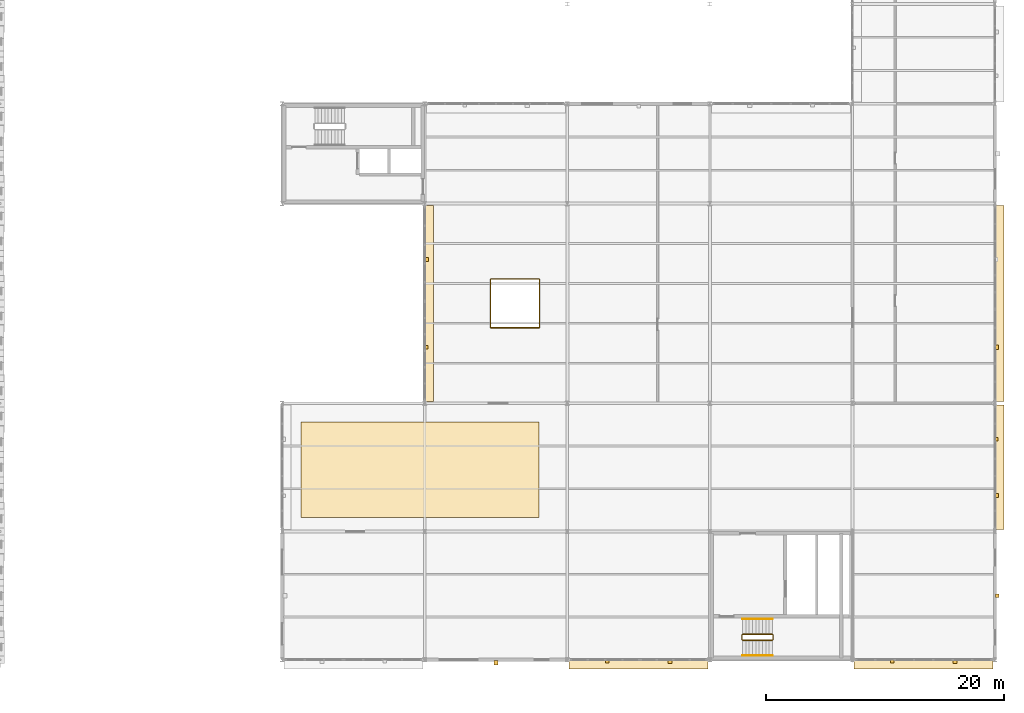
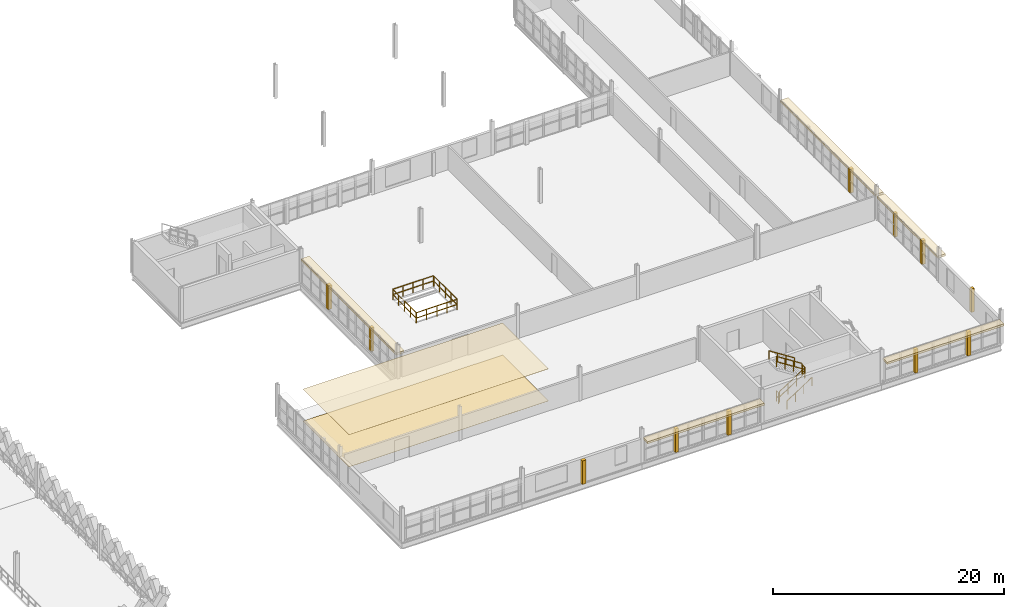
# One storey, part 78 of 79: 11 shading devices, 10 railings, 7 coverings.
"""IFC4 building model written with IfcOpenShell, lengths in metres."""

from ifc_helpers import new_model, si_unit, direction, frame, origin, origin_2d, place, context, subcontext, project, spatial, rectangle, circle, extrude, material, layer, layer_set, material_profile, profile_set, type_object, element, save


model = new_model("IFC4")

# Units and contexts
model_context = context("Model", 3, precision=1e-05, world=origin(), true_north=direction((0.0, 1.0)))
body_context = subcontext(model_context, "Body", "Model", "MODEL_VIEW")
ifc_project = project(units=[si_unit("LENGTHUNIT", "METRE"), si_unit("AREAUNIT", "SQUARE_METRE"), si_unit("VOLUMEUNIT", "CUBIC_METRE"), si_unit("PLANEANGLEUNIT", "RADIAN"), si_unit("MASSUNIT", "GRAM", prefix="KILO"), si_unit("THERMODYNAMICTEMPERATUREUNIT", "KELVIN"), si_unit("POWERUNIT", "WATT")], contexts=[model_context])

# Site, building, storey
site_placement = place(None, origin())
site = spatial("IfcSite", under=ifc_project, at=site_placement, CompositionType="ELEMENT")
building_placement = place(site_placement, origin())
building = spatial("IfcBuilding", under=site, at=building_placement, Name="Tembeka Court Mobility Hub", CompositionType="ELEMENT")
storey_placement = place(building_placement, frame((0.0, 0.0, 9.0)))
storey = spatial("IfcBuildingStorey", under=building, at=storey_placement, Name="L02", CompositionType="ELEMENT", Elevation=9.0)

# Coverings
ifc_material_1 = material(Name="Dressed ochre Nairobi volcanic-tuff cladding", Category="masonry")
ifc_layer_1 = layer(ifc_material_1, 0.0400390625)
ifc_layer_set_1 = layer_set([ifc_layer_1], Name="Dressed ochre Nairobi volcanic-tuff cladding")
covering_type_1 = type_object("IfcCoveringType", Name="COV-CD01", PredefinedType="CLADDING", material=ifc_layer_set_1)
for number, where, z_axis, x_axis, name in (
    (1, (146.39990234375, -0.360107421875, 2.30517578125), (0.0, 0.0, 1.0), (1.0, 0.0, 0.0), "Projecting volcanic-tuff solar hood CVD1-H016"),
    (2, (170.39990234375, -0.360107421875, 2.30517578125), (0.0, 0.0, 1.0), (1.0, 0.0, 0.0), "Projecting volcanic-tuff solar hood CVD1-H017"),
):
    element("IfcCovering", number, at=place(storey_placement, frame(where, z_axis=z_axis, x_axis=x_axis)), inside=storey, type_object=covering_type_1, Name=name, PredefinedType="CLADDING", context=body_context, shape_type="SweptSolid", body=[
        extrude(rectangle(XDim=11.699951171875, YDim=0.800048828125, at=origin_2d()), origin(), (0.0, 0.0, 1.0), 0.219970703125),
    ])
covering_1_placement = place(storey_placement, frame((176.760009765625, 16.199951171875, 2.30517578125), z_axis=(0.0, 0.0, 1.0), x_axis=(0.0, 1.0, 0.0)))
element("IfcCovering", 3, at=covering_1_placement, inside=storey, type_object=covering_type_1, Name="Projecting volcanic-tuff solar hood CVD1-H018", PredefinedType="CLADDING", context=body_context, shape_type="SweptSolid", body=[
    extrude(rectangle(XDim=10.5, YDim=0.800048828125, at=origin_2d()), origin(), (0.0, 0.0, 1.0), 0.219970703125),
])
for number, where, z_axis, x_axis, name in (
    (4, (176.760009765625, 30.0, 2.30517578125), (0.0, 0.0, 1.0), (0.0, 1.0, 0.0), "Projecting volcanic-tuff solar hood CVD1-H019"),
    (5, (128.760009765625, 30.0, 2.30517578125), (0.0, 0.0, 1.0), (0.0, 1.0, 0.0), "Projecting volcanic-tuff solar hood CVD1-H025"),
):
    element("IfcCovering", number, at=place(storey_placement, frame(where, z_axis=z_axis, x_axis=x_axis)), inside=storey, type_object=covering_type_1, Name=name, PredefinedType="CLADDING", context=body_context, shape_type="SweptSolid", body=[
        extrude(rectangle(XDim=16.5, YDim=0.800048828125, at=origin_2d()), origin(), (0.0, 0.0, 1.0), 0.219970703125),
    ])
ifc_material_2 = material(Name="Perforated acoustic mineral-fibre ceiling tile", Category="masonry")
ifc_layer_2 = layer(ifc_material_2, 0.02490234375)
ifc_layer_set_2 = layer_set([ifc_layer_2], Name="Perforated acoustic mineral-fibre ceiling tile")
covering_type_2 = type_object("IfcCoveringType", Name="COV-CL01", PredefinedType="CEILING", material=ifc_layer_set_2)
covering_2_placement = place(storey_placement, frame((128.0, 16.0, 3.3896484375), z_axis=(0.0, 0.0, 1.0), x_axis=(1.0, 0.0, 0.0)))
element("IfcCovering", 6, at=covering_2_placement, inside=storey, type_object=covering_type_2, Name="Acoustic ceiling panel CVC1-05", PredefinedType="CEILING", context=body_context, shape_type="SweptSolid", body=[
    extrude(rectangle(XDim=20.0, YDim=8.0, at=origin_2d()), origin(), (0.0, 0.0, 1.0), 0.02490234375),
])
ifc_material_3 = material(Name="Honed Nairobi granite concourse flooring", Category="masonry")
ifc_layer_3 = layer(ifc_material_3, 0.02001953125)
ifc_layer_set_3 = layer_set([ifc_layer_3], Name="Honed Nairobi granite concourse flooring")
covering_type_3 = type_object("IfcCoveringType", Name="COV-FL01", PredefinedType="FLOORING", material=ifc_layer_set_3)
covering_3_placement = place(storey_placement, frame((128.0, 16.0, -0.001953125), z_axis=(0.0, 0.0, 1.0), x_axis=(1.0, 0.0, 0.0)))
element("IfcCovering", 7, at=covering_3_placement, inside=storey, type_object=covering_type_3, Name="Honed granite floor finish CVF1-05", PredefinedType="FLOORING", context=body_context, shape_type="SweptSolid", body=[
    extrude(rectangle(XDim=20.0, YDim=8.0, at=origin_2d()), origin(), (0.0, 0.0, 1.0), 0.02001953125),
])

# Railings
ifc_material_4 = material(Name="Painted galvanised steel balustrade", Category="steel")
railing_type_1 = type_object("IfcRailingType", Name="RL-GR01", PredefinedType="GUARDRAIL", material=ifc_material_4)
railing_1_placement = place(storey_placement, frame((133.97998046875, 27.949951171875, 0.0)))
element("IfcRailing", 8, at=railing_1_placement, inside=storey, type_object=railing_type_1, Name="Perimeter guard GR01-0179", PredefinedType="GUARDRAIL", context=body_context, shape_type="SweptSolid", body=[
    extrude(circle(Radius=0.02392578125, at=origin_2d()), frame((0.0, 0.0, 1.09619140625), z_axis=(1.0, 0.0, 0.0), x_axis=(0.0, 1.0, 0.0)), (0.0, 0.0, 1.0), 4.0400390625),
    extrude(circle(Radius=0.02392578125, at=origin_2d()), frame((0.0, 0.0, 0.5361328125), z_axis=(1.0, 0.0, 0.0), x_axis=(0.0, 1.0, 0.0)), (0.0, 0.0, 1.0), 4.0400390625),
    extrude(circle(Radius=0.02099609375, at=origin_2d()), origin(), (0.0, 0.0, 1.0), 1.072021484375),
    extrude(circle(Radius=0.02099609375, at=origin_2d()), frame((1.010009765625, 0.0, 0.0)), (0.0, 0.0, 1.0), 1.072021484375),
    extrude(circle(Radius=0.02099609375, at=origin_2d()), frame((2.02001953125, 0.0, 0.0)), (0.0, 0.0, 1.0), 1.072021484375),
    extrude(circle(Radius=0.02099609375, at=origin_2d()), frame((3.030029296875, 0.0, 0.0)), (0.0, 0.0, 1.0), 1.072021484375),
    extrude(circle(Radius=0.02099609375, at=origin_2d()), frame((4.0400390625, 0.0, 0.0)), (0.0, 0.0, 1.0), 1.072021484375),
])
railing_2_placement = place(storey_placement, frame((138.050048828125, 27.97998046875, 0.0)))
element("IfcRailing", 9, at=railing_2_placement, inside=storey, type_object=railing_type_1, Name="Perimeter guard GR01-0180", PredefinedType="GUARDRAIL", context=body_context, shape_type="SweptSolid", body=[
    extrude(circle(Radius=0.02392578125, at=origin_2d()), frame((0.0, 0.0, 1.09619140625), z_axis=(0.0, 1.0, 0.0), x_axis=(-1.0, 0.0, 0.0)), (0.0, 0.0, 1.0), 4.0400390625),
    extrude(circle(Radius=0.02392578125, at=origin_2d()), frame((0.0, 0.0, 0.5361328125), z_axis=(0.0, 1.0, 0.0), x_axis=(-1.0, 0.0, 0.0)), (0.0, 0.0, 1.0), 4.0400390625),
    extrude(circle(Radius=0.02099609375, at=origin_2d()), origin(), (0.0, 0.0, 1.0), 1.072021484375),
    extrude(circle(Radius=0.02099609375, at=origin_2d()), frame((0.0, 1.010009765625, 0.0)), (0.0, 0.0, 1.0), 1.072021484375),
    extrude(circle(Radius=0.02099609375, at=origin_2d()), frame((0.0, 2.02001953125, 0.0)), (0.0, 0.0, 1.0), 1.072021484375),
    extrude(circle(Radius=0.02099609375, at=origin_2d()), frame((0.0, 3.030029296875, 0.0)), (0.0, 0.0, 1.0), 1.072021484375),
    extrude(circle(Radius=0.02099609375, at=origin_2d()), frame((0.0, 4.0400390625, 0.0)), (0.0, 0.0, 1.0), 1.072021484375),
])
railing_3_placement = place(storey_placement, frame((138.02001953125, 32.050048828125, 0.0)))
element("IfcRailing", 10, at=railing_3_placement, inside=storey, type_object=railing_type_1, Name="Perimeter guard GR01-0181", PredefinedType="GUARDRAIL", context=body_context, shape_type="SweptSolid", body=[
    extrude(circle(Radius=0.02392578125, at=origin_2d()), frame((0.0, 0.0, 1.09619140625), z_axis=(-1.0, 0.0, 0.0), x_axis=(0.0, -1.0, 0.0)), (0.0, 0.0, 1.0), 4.0400390625),
    extrude(circle(Radius=0.02392578125, at=origin_2d()), frame((0.0, 0.0, 0.5361328125), z_axis=(-1.0, 0.0, 0.0), x_axis=(0.0, -1.0, 0.0)), (0.0, 0.0, 1.0), 4.0400390625),
    extrude(circle(Radius=0.02099609375, at=origin_2d()), origin(), (0.0, 0.0, 1.0), 1.072021484375),
    extrude(circle(Radius=0.02099609375, at=origin_2d()), frame((-1.010009765625, 0.0, 0.0)), (0.0, 0.0, 1.0), 1.072021484375),
    extrude(circle(Radius=0.02099609375, at=origin_2d()), frame((-2.02001953125, 0.0, 0.0)), (0.0, 0.0, 1.0), 1.072021484375),
    extrude(circle(Radius=0.02099609375, at=origin_2d()), frame((-3.030029296875, 0.0, 0.0)), (0.0, 0.0, 1.0), 1.072021484375),
    extrude(circle(Radius=0.02099609375, at=origin_2d()), frame((-4.0400390625, 0.0, 0.0)), (0.0, 0.0, 1.0), 1.072021484375),
])
railing_4_placement = place(storey_placement, frame((133.949951171875, 32.02001953125, 0.0)))
element("IfcRailing", 11, at=railing_4_placement, inside=storey, type_object=railing_type_1, Name="Perimeter guard GR01-0182", PredefinedType="GUARDRAIL", context=body_context, shape_type="SweptSolid", body=[
    extrude(circle(Radius=0.02392578125, at=origin_2d()), frame((0.0, 0.0, 1.09619140625), z_axis=(0.0, -1.0, 0.0), x_axis=(1.0, 0.0, 0.0)), (0.0, 0.0, 1.0), 4.0400390625),
    extrude(circle(Radius=0.02392578125, at=origin_2d()), frame((0.0, 0.0, 0.5361328125), z_axis=(0.0, -1.0, 0.0), x_axis=(1.0, 0.0, 0.0)), (0.0, 0.0, 1.0), 4.0400390625),
    extrude(circle(Radius=0.02099609375, at=origin_2d()), origin(), (0.0, 0.0, 1.0), 1.072021484375),
    extrude(circle(Radius=0.02099609375, at=origin_2d()), frame((0.0, -1.010009765625, 0.0)), (0.0, 0.0, 1.0), 1.072021484375),
    extrude(circle(Radius=0.02099609375, at=origin_2d()), frame((0.0, -2.02001953125, 0.0)), (0.0, 0.0, 1.0), 1.072021484375),
    extrude(circle(Radius=0.02099609375, at=origin_2d()), frame((0.0, -3.030029296875, 0.0)), (0.0, 0.0, 1.0), 1.072021484375),
    extrude(circle(Radius=0.02099609375, at=origin_2d()), frame((0.0, -4.0400390625, 0.0)), (0.0, 0.0, 1.0), 1.072021484375),
])
railing_5_placement = place(storey_placement, frame((155.14990234375, 1.64990234375, 0.179931640625)))
element("IfcRailing", 12, at=railing_5_placement, inside=storey, type_object=railing_type_1, Name="L02 ST06 stair guard 1-1", PredefinedType="GUARDRAIL", context=body_context, shape_type="SweptSolid", body=[
    extrude(circle(Radius=0.02392578125, at=origin_2d()), frame((0.0, 0.0, 1.09619140625), z_axis=(0.841162588446, 0.0, 0.540782303519), x_axis=(0.0, 1.0, 0.0)), (0.0, 0.0, 1.0), 2.995849609375),
    extrude(circle(Radius=0.02392578125, at=origin_2d()), frame((0.0, 0.0, 0.5361328125), z_axis=(0.841162588446, 0.0, 0.540782303519), x_axis=(0.0, 1.0, 0.0)), (0.0, 0.0, 1.0), 2.995849609375),
    extrude(circle(Radius=0.02099609375, at=origin_2d()), origin(), (0.0, 0.0, 1.0), 1.072021484375),
    extrude(circle(Radius=0.02099609375, at=origin_2d()), frame((0.840087890625, 0.0, 0.5400390625)), (0.0, 0.0, 1.0), 1.072021484375),
    extrude(circle(Radius=0.02099609375, at=origin_2d()), frame((1.679931640625, 0.0, 1.080078125)), (0.0, 0.0, 1.0), 1.072021484375),
    extrude(circle(Radius=0.02099609375, at=origin_2d()), frame((2.52001953125, 0.0, 1.6201171875)), (0.0, 0.0, 1.0), 1.072021484375),
])
railing_6_placement = place(storey_placement, frame((157.719970703125, 1.699951171875, 1.800048828125)))
element("IfcRailing", 13, at=railing_6_placement, inside=storey, type_object=railing_type_1, Name="L02 ST06 stair guard 2-1", PredefinedType="GUARDRAIL", context=body_context, shape_type="SweptSolid", body=[
    extrude(circle(Radius=0.02392578125, at=origin_2d()), frame((0.0, 0.0, 1.09619140625), z_axis=(0.0, 1.0, 0.0), x_axis=(-1.0, 0.0, 0.0)), (0.0, 0.0, 1.0), 0.400146484375),
    extrude(circle(Radius=0.02392578125, at=origin_2d()), frame((0.0, 0.0, 0.5361328125), z_axis=(0.0, 1.0, 0.0), x_axis=(-1.0, 0.0, 0.0)), (0.0, 0.0, 1.0), 0.400146484375),
    extrude(circle(Radius=0.02099609375, at=origin_2d()), origin(), (0.0, 0.0, 1.0), 1.072021484375),
    extrude(circle(Radius=0.02099609375, at=origin_2d()), frame((0.0, 0.400146484375, 0.0)), (0.0, 0.0, 1.0), 1.072021484375),
])
railing_7_placement = place(storey_placement, frame((157.669921875, 2.14990234375, 1.97998046875)))
element("IfcRailing", 14, at=railing_7_placement, inside=storey, type_object=railing_type_1, Name="L02 ST06 stair guard 3-1", PredefinedType="GUARDRAIL", context=body_context, shape_type="SweptSolid", body=[
    extrude(circle(Radius=0.02392578125, at=origin_2d()), frame((0.0, 0.0, 1.09619140625), z_axis=(-0.841162588446, 0.0, 0.540782303519), x_axis=(0.0, -1.0, 0.0)), (0.0, 0.0, 1.0), 2.995849609375),
    extrude(circle(Radius=0.02392578125, at=origin_2d()), frame((0.0, 0.0, 0.5361328125), z_axis=(-0.841162588446, 0.0, 0.540782303519), x_axis=(0.0, -1.0, 0.0)), (0.0, 0.0, 1.0), 2.995849609375),
    extrude(circle(Radius=0.02099609375, at=origin_2d()), origin(), (0.0, 0.0, 1.0), 1.072021484375),
    extrude(circle(Radius=0.02099609375, at=origin_2d()), frame((-0.840087890625, 0.0, 0.5400390625)), (0.0, 0.0, 1.0), 1.072021484375),
    extrude(circle(Radius=0.02099609375, at=origin_2d()), frame((-1.679931640625, 0.0, 1.080078125)), (0.0, 0.0, 1.0), 1.072021484375),
    extrude(circle(Radius=0.02099609375, at=origin_2d()), frame((-2.52001953125, 0.0, 1.6201171875)), (0.0, 0.0, 1.0), 1.072021484375),
])
railing_8_placement = place(storey_placement, frame((155.10009765625, 1.699951171875, 0.0)))
element("IfcRailing", 15, at=railing_8_placement, inside=storey, type_object=railing_type_1, Name="L02 ST06 stair guard 4-1", PredefinedType="GUARDRAIL", context=body_context, shape_type="SweptSolid", body=[
    extrude(circle(Radius=0.02392578125, at=origin_2d()), frame((0.0, 0.0, 1.09619140625), z_axis=(0.0, 1.0, 0.0), x_axis=(-1.0, 0.0, 0.0)), (0.0, 0.0, 1.0), 0.400146484375),
    extrude(circle(Radius=0.02392578125, at=origin_2d()), frame((0.0, 0.0, 0.5361328125), z_axis=(0.0, 1.0, 0.0), x_axis=(-1.0, 0.0, 0.0)), (0.0, 0.0, 1.0), 0.400146484375),
    extrude(circle(Radius=0.02099609375, at=origin_2d()), origin(), (0.0, 0.0, 1.0), 1.072021484375),
    extrude(circle(Radius=0.02099609375, at=origin_2d()), frame((0.0, 0.400146484375, 0.0)), (0.0, 0.0, 1.0), 1.072021484375),
])
ifc_material_5 = material(Name="Brushed stainless steel handrail", Category="steel")
railing_type_2 = type_object("IfcRailingType", Name="RL-HR01", PredefinedType="HANDRAIL", material=ifc_material_5)
railing_9_placement = place(storey_placement, frame((155.14990234375, 0.35009765625, 0.179931640625)))
element("IfcRailing", 16, at=railing_9_placement, inside=storey, type_object=railing_type_2, Name="L02 ST06 handrail 1-1", PredefinedType="HANDRAIL", context=body_context, shape_type="SweptSolid", body=[
    extrude(circle(Radius=0.02392578125, at=origin_2d()), frame((0.0, 0.0, 0.89599609375), z_axis=(0.841162588446, 0.0, 0.540782303519), x_axis=(0.0, 1.0, 0.0)), (0.0, 0.0, 1.0), 2.995849609375),
    extrude(circle(Radius=0.02099609375, at=origin_2d()), origin(), (0.0, 0.0, 1.0), 0.871826171875),
    extrude(circle(Radius=0.02099609375, at=origin_2d()), frame((0.840087890625, 0.0, 0.5400390625)), (0.0, 0.0, 1.0), 0.871826171875),
    extrude(circle(Radius=0.02099609375, at=origin_2d()), frame((1.679931640625, 0.0, 1.080078125)), (0.0, 0.0, 1.0), 0.871826171875),
    extrude(circle(Radius=0.02099609375, at=origin_2d()), frame((2.52001953125, 0.0, 1.6201171875)), (0.0, 0.0, 1.0), 0.871826171875),
])
railing_10_placement = place(storey_placement, frame((157.669921875, 3.449951171875, 1.97998046875)))
element("IfcRailing", 17, at=railing_10_placement, inside=storey, type_object=railing_type_2, Name="L02 ST06 handrail 2-1", PredefinedType="HANDRAIL", context=body_context, shape_type="SweptSolid", body=[
    extrude(circle(Radius=0.02392578125, at=origin_2d()), frame((0.0, 0.0, 0.89599609375), z_axis=(-0.841162588446, 0.0, 0.540782303519), x_axis=(0.0, -1.0, 0.0)), (0.0, 0.0, 1.0), 2.995849609375),
    extrude(circle(Radius=0.02099609375, at=origin_2d()), origin(), (0.0, 0.0, 1.0), 0.871826171875),
    extrude(circle(Radius=0.02099609375, at=origin_2d()), frame((-0.840087890625, 0.0, 0.5400390625)), (0.0, 0.0, 1.0), 0.871826171875),
    extrude(circle(Radius=0.02099609375, at=origin_2d()), frame((-1.679931640625, 0.0, 1.080078125)), (0.0, 0.0, 1.0), 0.871826171875),
    extrude(circle(Radius=0.02099609375, at=origin_2d()), frame((-2.52001953125, 0.0, 1.6201171875)), (0.0, 0.0, 1.0), 0.871826171875),
])

# Shading devices
ifc_material_6 = material(Name="Bronze-anodised aluminium 6063-T6", Category="aluminium")
ifc_material_profile_1 = material_profile(ifc_material_6, rectangle(XDim=0.360107421875, YDim=0.360107421875, at=origin_2d()), Name="ALU-FIN 360x360")
ifc_profile_set_1 = profile_set([ifc_material_profile_1], Name="Bronze-anodised aluminium 6063-T6")
shading_device_type_1 = type_object("IfcShadingDeviceType", Name="SHD-FN01", PredefinedType="JALOUSIE", material=ifc_profile_set_1)
shading_device_1_placement = place(storey_placement, frame((134.39990234375, -0.239990234375, 0.0), z_axis=(0.0, 0.0, 1.0), x_axis=(1.0, 0.0, 0.0)))
element("IfcShadingDevice", 18, at=shading_device_1_placement, inside=storey, type_object=shading_device_type_1, Name="Equatorial solar shading fin FN01-030", PredefinedType="JALOUSIE", context=body_context, shape_type="SweptSolid", body=[
    extrude(rectangle(XDim=0.360107421875, YDim=0.360107421875, at=origin_2d()), origin(), (0.0, 0.0, 1.0), 2.485107421875),
])
for number, where, z_axis, x_axis, name in (
    (19, (149.0400390625, -0.1201171875, 0.0), (0.0, 0.0, 1.0), (1.0, 0.0, 0.0), "Equatorial solar shading fin FN01-032"),
    (20, (173.0400390625, -0.1201171875, 0.0), (0.0, 0.0, 1.0), (1.0, 0.0, 0.0), "Equatorial solar shading fin FN01-034"),
    (21, (176.52001953125, 13.823974609375, 0.0), (0.0, 0.0, 1.0), (1.0, 0.0, 0.0), "Equatorial solar shading fin FN01-036"),
    (22, (176.52001953125, 26.303955078125, 0.0), (0.0, 0.0, 1.0), (1.0, 0.0, 0.0), "Equatorial solar shading fin FN01-038"),
    (23, (128.52001953125, 33.696044921875, 0.0), (0.0, 0.0, 1.0), (1.0, 0.0, 0.0), "Equatorial solar shading fin FN01-056"),
):
    element("IfcShadingDevice", number, at=place(storey_placement, frame(where, z_axis=z_axis, x_axis=x_axis)), inside=storey, type_object=shading_device_type_1, Name=name, PredefinedType="JALOUSIE", context=body_context, shape_type="SweptSolid", body=[
        extrude(rectangle(XDim=0.360107421875, YDim=0.360107421875, at=origin_2d()), origin(), (0.0, 0.0, 1.0), 2.514892578125),
    ])
ifc_material_profile_2 = material_profile(ifc_material_6, rectangle(XDim=0.300048828125, YDim=0.300048828125, at=origin_2d()), Name="ALU-LVR 300x300")
ifc_profile_set_2 = profile_set([ifc_material_profile_2], Name="Bronze-anodised aluminium 6063-T6")
shading_device_type_2 = type_object("IfcShadingDeviceType", Name="SHD-LV01", PredefinedType="SHUTTER", material=ifc_profile_set_2)
for number, where, z_axis, x_axis, name in (
    (24, (143.760009765625, -0.1201171875, 0.0), (0.0, 0.0, 1.0), (1.0, 0.0, 0.0), "Equatorial solar shading fin LV01-031"),
    (25, (167.760009765625, -0.1201171875, 0.0), (0.0, 0.0, 1.0), (1.0, 0.0, 0.0), "Equatorial solar shading fin LV01-033"),
):
    element("IfcShadingDevice", number, at=place(storey_placement, frame(where, z_axis=z_axis, x_axis=x_axis)), inside=storey, type_object=shading_device_type_2, Name=name, PredefinedType="SHUTTER", context=body_context, shape_type="SweptSolid", body=[
        extrude(rectangle(XDim=0.300048828125, YDim=0.300048828125, at=origin_2d()), origin(), (0.0, 0.0, 1.0), 2.514892578125),
    ])
shading_device_2_placement = place(storey_placement, frame((176.610107421875, 5.39990234375, 0.0), z_axis=(0.0, 0.0, 1.0), x_axis=(1.0, 0.0, 0.0)))
element("IfcShadingDevice", 26, at=shading_device_2_placement, inside=storey, type_object=shading_device_type_2, Name="Equatorial solar shading fin LV01-035", PredefinedType="SHUTTER", context=body_context, shape_type="SweptSolid", body=[
    extrude(rectangle(XDim=0.300048828125, YDim=0.300048828125, at=origin_2d()), origin(), (0.0, 0.0, 1.0), 2.485107421875),
])
for number, where, z_axis, x_axis, name in (
    (27, (176.52001953125, 18.575927734375, 0.0), (0.0, 0.0, 1.0), (1.0, 0.0, 0.0), "Equatorial solar shading fin LV01-037"),
    (28, (128.52001953125, 26.303955078125, 0.0), (0.0, 0.0, 1.0), (1.0, 0.0, 0.0), "Equatorial solar shading fin LV01-055"),
):
    element("IfcShadingDevice", number, at=place(storey_placement, frame(where, z_axis=z_axis, x_axis=x_axis)), inside=storey, type_object=shading_device_type_2, Name=name, PredefinedType="SHUTTER", context=body_context, shape_type="SweptSolid", body=[
        extrude(rectangle(XDim=0.300048828125, YDim=0.300048828125, at=origin_2d()), origin(), (0.0, 0.0, 1.0), 2.514892578125),
    ])

save(model, "model.ifc")
